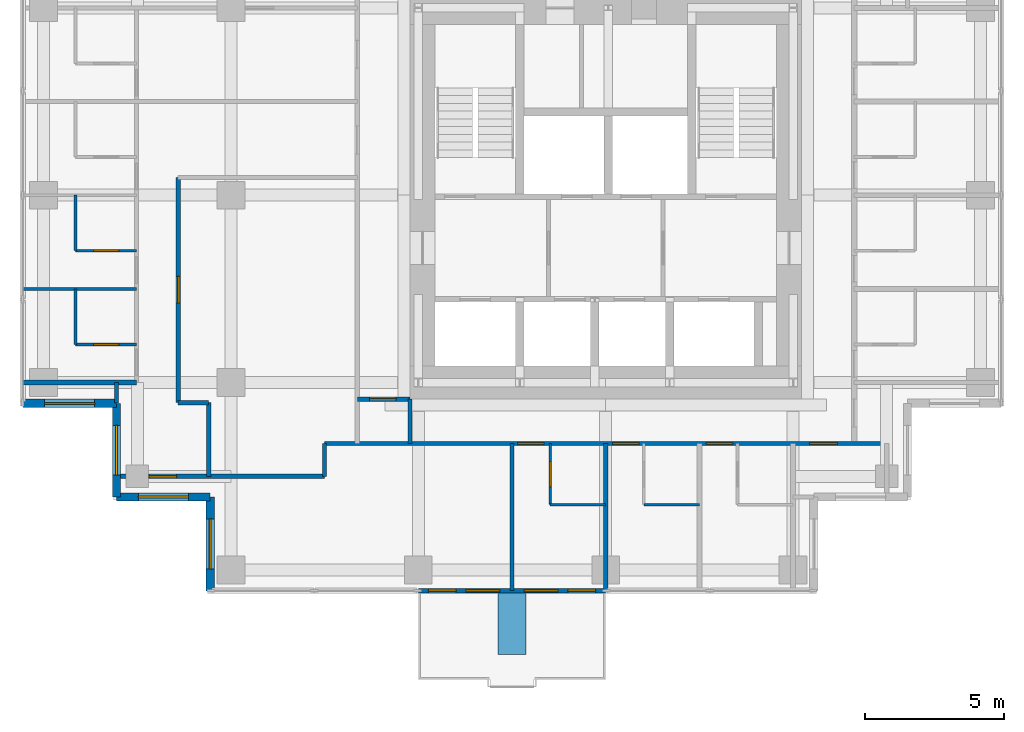
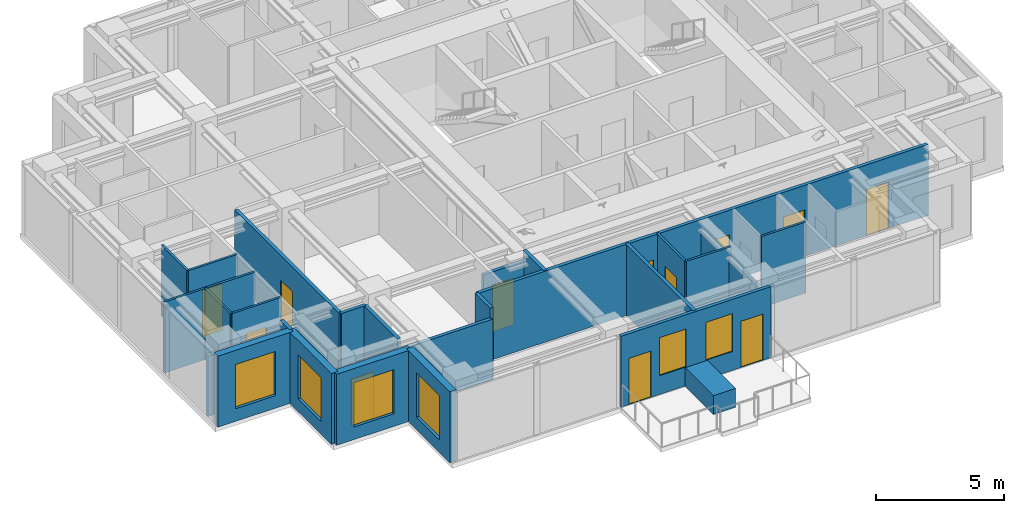
# One storey, part 3 of 8: 26 walls, 12 doors, 6 windows, 18 openings.
"""IFC4 building model written with IfcOpenShell, lengths in metres."""

from ifc_helpers import new_model, si_unit, direction, frame, frame_2d, origin, place, context, subcontext, project, spatial, rectangle, extrude, material, layer, layer_set, type_object, element, fill, save


model = new_model("IFC4")

# Units and contexts
model_context = context("Model", 3, precision=1e-05, world=origin(), true_north=direction((0.0, 1.0)))
body_context = subcontext(model_context, "Body", "Model", "MODEL_VIEW")
ifc_project = project(units=[si_unit("LENGTHUNIT", "METRE"), si_unit("AREAUNIT", "SQUARE_METRE"), si_unit("VOLUMEUNIT", "CUBIC_METRE"), si_unit("PLANEANGLEUNIT", "RADIAN"), si_unit("MASSUNIT", "GRAM", prefix="KILO")], contexts=[model_context])

# Site, building, storey
site_placement = place(None, origin())
site = spatial("IfcSite", under=ifc_project, at=site_placement, CompositionType="ELEMENT")
building_placement = place(site_placement, origin())
building = spatial("IfcBuilding", under=site, at=building_placement, Name="Nyansa Garden Tower", CompositionType="ELEMENT")
storey_placement = place(building_placement, frame((0.0, 0.0, 240.300048828125)))
storey = spatial("IfcBuildingStorey", under=building, at=storey_placement, Name="L65", CompositionType="ELEMENT", Elevation=240.300048828125)

# Walls
ifc_material_1 = material(Name="Dense blockwork, plastered both sides, 55 dB", Category="masonry")
ifc_layer_1 = layer(ifc_material_1, 0.175048828125)
ifc_layer_set_1 = layer_set([ifc_layer_1], Name="Acoustic party wall PW175")
wall_type_1 = type_object("IfcWallType", Name="Acoustic party wall PW175", PredefinedType="PARTITIONING", material=ifc_layer_set_1)
wall_1_placement = place(storey_placement, frame((-0.73388671875, 13.5, 0.0), z_axis=(0.0, 0.0, 1.0), x_axis=(1.0, 0.0, 0.0)))
element("IfcWall", 1, at=wall_1_placement, inside=storey, type_object=wall_type_1, Name="Party wall", PredefinedType="PARTITIONING", context=body_context, shape_type="SweptSolid", body=[
    extrude(rectangle(XDim=4.083984375, YDim=0.175048828125, at=frame_2d((2.0419921875, 0.0))), origin(), (0.0, 0.0, 1.0), 2.876953125),
])
wall_2_placement = place(storey_placement, frame((20.25, 6.01611328125, 0.0), z_axis=(0.0, 0.0, 1.0), x_axis=(0.0, 1.0, 0.0)))
element("IfcWall", 2, at=wall_2_placement, inside=storey, type_object=wall_type_1, Name="Party wall", PredefinedType="PARTITIONING", context=body_context, shape_type="SweptSolid", body=[
    extrude(rectangle(XDim=5.283935546875, YDim=0.175048828125, at=frame_2d((2.64208984375, 0.0))), origin(), (0.0, 0.0, 1.0), 2.876953125),
])

# Wall, openings, doors, windows
ifc_material_2 = material(Name="Black aluminium framed glazed screen", Category="aluminium")
ifc_layer_2 = layer(ifc_material_2, 0.14990234375)
ifc_layer_set_2 = layer_set([ifc_layer_2], Name="Balcony screen wall BW150")
wall_type_2 = type_object("IfcWallType", Name="Balcony screen wall BW150", PredefinedType="SOLIDWALL", material=ifc_layer_set_2)
wall_3_placement = place(storey_placement, frame((20.25, 6.0, 0.0), z_axis=(0.0, 0.0, 1.0), x_axis=(-1.0, 0.0, 0.0)))
wall_3 = element("IfcWall", 3, at=wall_3_placement, inside=storey, type_object=wall_type_2, Name="Glazed screen wall L65 S", PredefinedType="SOLIDWALL", context=body_context, shape_type="SweptSolid", body=[
    extrude(rectangle(XDim=6.75, YDim=0.14990234375, at=frame_2d((3.375, 0.0))), origin(), (0.0, 0.0, 1.0), 3.375),
])
opening_1_placement = place(wall_3_placement, frame((0.362548828125, 0.0, 0.0)))
opening_1 = element("IfcOpeningElement", 4, at=opening_1_placement, cuts=wall_3, Name="Opening D20", PredefinedType="OPENING", context=body_context, shape_type="SweptSolid", body=[
    extrude(rectangle(XDim=1.0, YDim=2.199951171875, at=frame_2d((0.5, 1.10009765625))), frame((0.0, 0.0849609375, 0.0), z_axis=(0.0, -1.0, 0.0), x_axis=(1.0, 0.0, 0.0)), (0.0, 0.0, 1.0), 0.169921875),
])
opening_2_placement = place(wall_3_placement, frame((1.72509765625, 0.0, 0.89990234375)))
opening_2 = element("IfcOpeningElement", 5, at=opening_2_placement, cuts=wall_3, Name="Opening W6", PredefinedType="OPENING", context=body_context, shape_type="SweptSolid", body=[
    extrude(rectangle(XDim=1.199951171875, YDim=1.800048828125, at=frame_2d((0.60009765625, 0.89990234375))), frame((0.0, 0.0849609375, 0.0), z_axis=(0.0, -1.0, 0.0), x_axis=(1.0, 0.0, 0.0)), (0.0, 0.0, 1.0), 0.169921875),
])
opening_3_placement = place(wall_3_placement, frame((5.387451171875, 0.0, 0.0)))
opening_3 = element("IfcOpeningElement", 6, at=opening_3_placement, cuts=wall_3, Name="Opening D20", PredefinedType="OPENING", context=body_context, shape_type="SweptSolid", body=[
    extrude(rectangle(XDim=1.0, YDim=2.199951171875, at=frame_2d((0.5, 1.10009765625))), frame((0.0, 0.0849609375, 0.0), z_axis=(0.0, -1.0, 0.0), x_axis=(1.0, 0.0, 0.0)), (0.0, 0.0, 1.0), 0.169921875),
])
opening_4_placement = place(wall_3_placement, frame((3.824951171875, 0.0, 0.89990234375)))
opening_4 = element("IfcOpeningElement", 7, at=opening_4_placement, cuts=wall_3, Name="Opening W6", PredefinedType="OPENING", context=body_context, shape_type="SweptSolid", body=[
    extrude(rectangle(XDim=1.199951171875, YDim=1.800048828125, at=frame_2d((0.60009765625, 0.89990234375))), frame((0.0, 0.0849609375, 0.0), z_axis=(0.0, -1.0, 0.0), x_axis=(1.0, 0.0, 0.0)), (0.0, 0.0, 1.0), 0.169921875),
])
ifc_material_3 = material(Name="Black aluminium framed glazed door", Category="aluminium")
door_type_1 = type_object("IfcDoorType", Name="Balcony door D20 1000x2200", OperationType="NOTDEFINED", PredefinedType="DOOR", material=ifc_material_3)
door_1_placement = place(opening_1_placement, origin())
door_1 = element("IfcDoor", 8, at=door_1_placement, inside=storey, type_object=door_type_1, Name="Balcony door L65", OperationType="SINGLE_SWING_LEFT", OverallHeight=2.199951171875, OverallWidth=1.0, PredefinedType="DOOR", context=body_context, shape_type="SweptSolid", body=[
    extrude(rectangle(XDim=1.0, YDim=2.199951171875, at=frame_2d((0.5, 1.10009765625))), frame((0.0, 0.02490234375, 0.0), z_axis=(0.0, -1.0, 0.0), x_axis=(1.0, 0.0, 0.0)), (0.0, 0.0, 1.0), 0.050048828125),
])
fill(opening_1, door_1)
door_2_placement = place(opening_3_placement, origin())
door_2 = element("IfcDoor", 9, at=door_2_placement, inside=storey, type_object=door_type_1, Name="Balcony door L65", OperationType="SINGLE_SWING_RIGHT", OverallHeight=2.199951171875, OverallWidth=1.0, PredefinedType="DOOR", context=body_context, shape_type="SweptSolid", body=[
    extrude(rectangle(XDim=1.0, YDim=2.199951171875, at=frame_2d((0.5, 1.10009765625))), frame((0.0, 0.02490234375, 0.0), z_axis=(0.0, -1.0, 0.0), x_axis=(1.0, 0.0, 0.0)), (0.0, 0.0, 1.0), 0.050048828125),
])
fill(opening_3, door_2)
ifc_material_4 = material(Name="Black aluminium frame, dark tinted double glazing", Category="aluminium")
window_type_1 = type_object("IfcWindowType", Name="Balcony window W6 1200x1800", PartitioningType="SINGLE_PANEL", PredefinedType="WINDOW", material=ifc_material_4)
window_1_placement = place(opening_2_placement, origin())
window_1 = element("IfcWindow", 10, at=window_1_placement, inside=storey, type_object=window_type_1, Name="Window L65", OverallHeight=1.800048828125, OverallWidth=1.199951171875, PartitioningType="SINGLE_PANEL", PredefinedType="WINDOW", context=body_context, shape_type="SweptSolid", body=[
    extrude(rectangle(XDim=1.199951171875, YDim=1.800048828125, at=frame_2d((0.60009765625, 0.89990234375))), frame((0.0, 0.030029296875, 0.0), z_axis=(0.0, -1.0, 0.0), x_axis=(1.0, 0.0, 0.0)), (0.0, 0.0, 1.0), 0.06005859375),
])
fill(opening_2, window_1)
window_2_placement = place(opening_4_placement, origin())
window_2 = element("IfcWindow", 11, at=window_2_placement, inside=storey, type_object=window_type_1, Name="Window L65", OverallHeight=1.800048828125, OverallWidth=1.199951171875, PartitioningType="SINGLE_PANEL", PredefinedType="WINDOW", context=body_context, shape_type="SweptSolid", body=[
    extrude(rectangle(XDim=1.199951171875, YDim=1.800048828125, at=frame_2d((0.60009765625, 0.89990234375))), frame((0.0, 0.030029296875, 0.0), z_axis=(0.0, -1.0, 0.0), x_axis=(1.0, 0.0, 0.0)), (0.0, 0.0, 1.0), 0.06005859375),
])
fill(opening_4, window_2)

# Wall
ifc_material_5 = material(Name="Blockwork, plastered both sides", Category="masonry")
ifc_layer_3 = layer(ifc_material_5, 0.14990234375)
ifc_layer_set_3 = layer_set([ifc_layer_3], Name="Partition PW150")
wall_type_3 = type_object("IfcWallType", Name="Partition PW150", PredefinedType="PARTITIONING", material=ifc_layer_set_3)
wall_4_placement = place(storey_placement, frame((2.625, 12.76611328125, 0.0), z_axis=(0.0, 0.0, 1.0), x_axis=(0.0, 1.0, 0.0)))
element("IfcWall", 12, at=wall_4_placement, inside=storey, type_object=wall_type_3, Name="Partition", PredefinedType="PARTITIONING", context=body_context, shape_type="SweptSolid", body=[
    extrude(rectangle(XDim=0.73388671875, YDim=0.14990234375, at=frame_2d((0.366943359375, 0.0))), origin(), (0.0, 0.0, 1.0), 3.375),
])

# Wall, opening, door
wall_5_placement = place(storey_placement, frame((2.77490234375, 10.125, 0.0), z_axis=(0.0, 0.0, 1.0), x_axis=(1.0, 0.0, 0.0)))
wall_5 = element("IfcWall", 13, at=wall_5_placement, inside=storey, type_object=wall_type_3, Name="Partition", PredefinedType="PARTITIONING", context=body_context, shape_type="SweptSolid", body=[
    extrude(rectangle(XDim=7.35009765625, YDim=0.14990234375, at=frame_2d((3.675048828125, 0.0))), origin(), (0.0, 0.0, 1.0), 2.876953125),
])
opening_5_placement = place(wall_5_placement, frame((1.01611328125, 0.0, 0.0)))
opening_5 = element("IfcOpeningElement", 14, at=opening_5_placement, cuts=wall_5, Name="Opening D03", PredefinedType="OPENING", context=body_context, shape_type="SweptSolid", body=[
    extrude(rectangle(XDim=1.0, YDim=2.199951171875, at=frame_2d((0.5, 1.10009765625))), frame((0.0, 0.0849609375, 0.0), z_axis=(0.0, -1.0, 0.0), x_axis=(1.0, 0.0, 0.0)), (0.0, 0.0, 1.0), 0.169921875),
])
ifc_material_6 = material(Name="Timber flush door, 60 minute fire resisting", Category="wood")
door_type_2 = type_object("IfcDoorType", Name="Cluster entrance door D03 1000x2200", OperationType="SINGLE_SWING_LEFT", PredefinedType="DOOR", material=ifc_material_6)
door_3_placement = place(opening_5_placement, origin())
door_3 = element("IfcDoor", 15, at=door_3_placement, inside=storey, type_object=door_type_2, Name="Door L65-017", OperationType="SINGLE_SWING_LEFT", OverallHeight=2.199951171875, OverallWidth=1.0, PredefinedType="DOOR", context=body_context, shape_type="SweptSolid", body=[
    extrude(rectangle(XDim=1.0, YDim=2.199951171875, at=frame_2d((0.5, 1.10009765625))), frame((0.0, 0.02490234375, 0.0), z_axis=(0.0, -1.0, 0.0), x_axis=(1.0, 0.0, 0.0)), (0.0, 0.0, 1.0), 0.050048828125),
])
fill(opening_5, door_3)

wall_6_placement = place(storey_placement, frame((4.85009765625, 12.77490234375, 0.0), z_axis=(0.0, 0.0, 1.0), x_axis=(0.0, 1.0, 0.0)))
wall_6 = element("IfcWall", 16, at=wall_6_placement, inside=storey, type_object=wall_type_3, Name="Partition", PredefinedType="PARTITIONING", context=body_context, shape_type="SweptSolid", body=[
    extrude(rectangle(XDim=8.112548828125, YDim=0.14990234375, at=frame_2d((4.05615234375, 0.0))), origin(), (0.0, 0.0, 1.0), 3.375),
])
opening_6_placement = place(wall_6_placement, frame((3.60009765625, 0.0, 0.0)))
opening_6 = element("IfcOpeningElement", 17, at=opening_6_placement, cuts=wall_6, Name="Opening D01", PredefinedType="OPENING", context=body_context, shape_type="SweptSolid", body=[
    extrude(rectangle(XDim=0.949951171875, YDim=2.199951171875, at=frame_2d((0.47509765625, 1.10009765625))), frame((0.0, 0.0849609375, 0.0), z_axis=(0.0, -1.0, 0.0), x_axis=(1.0, 0.0, 0.0)), (0.0, 0.0, 1.0), 0.169921875),
])
ifc_material_7 = material(Name="Timber flush door, 30 minute fire resisting", Category="wood")
door_type_3 = type_object("IfcDoorType", Name="Bedroom door D01 950x2200", OperationType="SINGLE_SWING_LEFT", PredefinedType="DOOR", material=ifc_material_7)
door_4_placement = place(opening_6_placement, origin())
door_4 = element("IfcDoor", 18, at=door_4_placement, inside=storey, type_object=door_type_3, Name="Door L65-054", OperationType="SINGLE_SWING_LEFT", OverallHeight=2.199951171875, OverallWidth=0.949951171875, PredefinedType="DOOR", context=body_context, shape_type="SweptSolid", body=[
    extrude(rectangle(XDim=0.949951171875, YDim=2.199951171875, at=frame_2d((0.47509765625, 1.10009765625))), frame((0.0, 0.02490234375, 0.0), z_axis=(0.0, -1.0, 0.0), x_axis=(1.0, 0.0, 0.0)), (0.0, 0.0, 1.0), 0.050048828125),
])
fill(opening_6, door_4)

# Walls
wall_7_placement = place(storey_placement, frame((4.85009765625, 12.77490234375, 0.0), z_axis=(0.0, 0.0, 1.0), x_axis=(1.0, 0.0, 0.0)))
element("IfcWall", 19, at=wall_7_placement, inside=storey, type_object=wall_type_3, Name="Partition", PredefinedType="PARTITIONING", context=body_context, shape_type="SweptSolid", body=[
    extrude(rectangle(XDim=1.099853515625, YDim=0.14990234375, at=frame_2d((0.5498046875, 0.0))), origin(), (0.0, 0.0, 1.0), 3.375),
])
wall_8_placement = place(storey_placement, frame((5.949951171875, 10.125, 0.0), z_axis=(0.0, 0.0, 1.0), x_axis=(0.0, 1.0, 0.0)))
element("IfcWall", 20, at=wall_8_placement, inside=storey, type_object=wall_type_3, Name="Partition", PredefinedType="PARTITIONING", context=body_context, shape_type="SweptSolid", body=[
    extrude(rectangle(XDim=2.64990234375, YDim=0.14990234375, at=frame_2d((1.324951171875, 0.0))), origin(), (0.0, 0.0, 1.0), 3.375),
])
wall_9_placement = place(storey_placement, frame((10.125, 10.125, 0.0), z_axis=(0.0, 0.0, 1.0), x_axis=(0.0, 1.0, 0.0)))
element("IfcWall", 21, at=wall_9_placement, inside=storey, type_object=wall_type_3, Name="Partition", PredefinedType="PARTITIONING", context=body_context, shape_type="SweptSolid", body=[
    extrude(rectangle(XDim=1.175048828125, YDim=0.14990234375, at=frame_2d((0.58740234375, 0.0))), origin(), (0.0, 0.0, 1.0), 3.375),
])

# Wall, openings, doors
wall_10_placement = place(storey_placement, frame((10.125, 11.300048828125, 0.0), z_axis=(0.0, 0.0, 1.0), x_axis=(1.0, 0.0, 0.0)))
wall_10 = element("IfcWall", 22, at=wall_10_placement, inside=storey, type_object=wall_type_3, Name="Partition", PredefinedType="PARTITIONING", context=body_context, shape_type="SweptSolid", body=[
    extrude(rectangle(XDim=20.25, YDim=0.14990234375, at=frame_2d((10.125, 0.0))), origin(), (0.0, 0.0, 1.0), 3.375),
])
opening_7_placement = place(wall_10_placement, frame((6.949951171875, 0.0, 0.0)))
opening_7 = element("IfcOpeningElement", 23, at=opening_7_placement, cuts=wall_10, Name="Opening D14", PredefinedType="OPENING", context=body_context, shape_type="SweptSolid", body=[
    extrude(rectangle(XDim=0.949951171875, YDim=2.199951171875, at=frame_2d((0.47509765625, 1.10009765625))), frame((0.0, 0.0849609375, 0.0), z_axis=(0.0, -1.0, 0.0), x_axis=(1.0, 0.0, 0.0)), (0.0, 0.0, 1.0), 0.169921875),
])
opening_8_placement = place(wall_10_placement, frame((10.375, 0.0, 0.0)))
opening_8 = element("IfcOpeningElement", 24, at=opening_8_placement, cuts=wall_10, Name="Opening D14", PredefinedType="OPENING", context=body_context, shape_type="SweptSolid", body=[
    extrude(rectangle(XDim=0.949951171875, YDim=2.199951171875, at=frame_2d((0.47509765625, 1.10009765625))), frame((0.0, 0.0849609375, 0.0), z_axis=(0.0, -1.0, 0.0), x_axis=(1.0, 0.0, 0.0)), (0.0, 0.0, 1.0), 0.169921875),
])
opening_9_placement = place(wall_10_placement, frame((13.75, 0.0, 0.0)))
opening_9 = element("IfcOpeningElement", 25, at=opening_9_placement, cuts=wall_10, Name="Opening D14", PredefinedType="OPENING", context=body_context, shape_type="SweptSolid", body=[
    extrude(rectangle(XDim=0.949951171875, YDim=2.199951171875, at=frame_2d((0.47509765625, 1.10009765625))), frame((0.0, 0.0849609375, 0.0), z_axis=(0.0, -1.0, 0.0), x_axis=(1.0, 0.0, 0.0)), (0.0, 0.0, 1.0), 0.169921875),
])
opening_10_placement = place(wall_10_placement, frame((17.47509765625, 0.0, 0.0)))
opening_10 = element("IfcOpeningElement", 26, at=opening_10_placement, cuts=wall_10, Name="Opening D03", PredefinedType="OPENING", context=body_context, shape_type="SweptSolid", body=[
    extrude(rectangle(XDim=1.0, YDim=2.199951171875, at=frame_2d((0.5, 1.10009765625))), frame((0.0, 0.0849609375, 0.0), z_axis=(0.0, -1.0, 0.0), x_axis=(1.0, 0.0, 0.0)), (0.0, 0.0, 1.0), 0.169921875),
])
door_5_placement = place(opening_10_placement, origin())
door_5 = element("IfcDoor", 27, at=door_5_placement, inside=storey, type_object=door_type_2, Name="Door L65-024", OperationType="SINGLE_SWING_LEFT", OverallHeight=2.199951171875, OverallWidth=1.0, PredefinedType="DOOR", context=body_context, shape_type="SweptSolid", body=[
    extrude(rectangle(XDim=1.0, YDim=2.199951171875, at=frame_2d((0.5, 1.10009765625))), frame((0.0, 0.02490234375, 0.0), z_axis=(0.0, -1.0, 0.0), x_axis=(1.0, 0.0, 0.0)), (0.0, 0.0, 1.0), 0.050048828125),
])
fill(opening_10, door_5)
ifc_material_8 = material(Name="Timber flush door, 60 minute fire resisting, self-closing", Category="wood")
door_type_4 = type_object("IfcDoorType", Name="Studio entrance door D14 950x2200", OperationType="SINGLE_SWING_LEFT", PredefinedType="DOOR", material=ifc_material_8)
door_6_placement = place(opening_7_placement, origin())
door_6 = element("IfcDoor", 28, at=door_6_placement, inside=storey, type_object=door_type_4, Name="Door L65-018", OperationType="SINGLE_SWING_LEFT", OverallHeight=2.199951171875, OverallWidth=0.949951171875, PredefinedType="DOOR", context=body_context, shape_type="SweptSolid", body=[
    extrude(rectangle(XDim=0.949951171875, YDim=2.199951171875, at=frame_2d((0.47509765625, 1.10009765625))), frame((0.0, 0.02490234375, 0.0), z_axis=(0.0, -1.0, 0.0), x_axis=(1.0, 0.0, 0.0)), (0.0, 0.0, 1.0), 0.050048828125),
])
fill(opening_7, door_6)
door_7_placement = place(opening_8_placement, origin())
door_7 = element("IfcDoor", 29, at=door_7_placement, inside=storey, type_object=door_type_4, Name="Door L65-020", OperationType="SINGLE_SWING_LEFT", OverallHeight=2.199951171875, OverallWidth=0.949951171875, PredefinedType="DOOR", context=body_context, shape_type="SweptSolid", body=[
    extrude(rectangle(XDim=0.949951171875, YDim=2.199951171875, at=frame_2d((0.47509765625, 1.10009765625))), frame((0.0, 0.02490234375, 0.0), z_axis=(0.0, -1.0, 0.0), x_axis=(1.0, 0.0, 0.0)), (0.0, 0.0, 1.0), 0.050048828125),
])
fill(opening_8, door_7)
door_8_placement = place(opening_9_placement, origin())
door_8 = element("IfcDoor", 30, at=door_8_placement, inside=storey, type_object=door_type_4, Name="Door L65-022", OperationType="SINGLE_SWING_LEFT", OverallHeight=2.199951171875, OverallWidth=0.949951171875, PredefinedType="DOOR", context=body_context, shape_type="SweptSolid", body=[
    extrude(rectangle(XDim=0.949951171875, YDim=2.199951171875, at=frame_2d((0.47509765625, 1.10009765625))), frame((0.0, 0.02490234375, 0.0), z_axis=(0.0, -1.0, 0.0), x_axis=(1.0, 0.0, 0.0)), (0.0, 0.0, 1.0), 0.050048828125),
])
fill(opening_9, door_8)

# Wall, opening, door
wall_11_placement = place(storey_placement, frame((11.300048828125, 12.89990234375, 0.0), z_axis=(0.0, 0.0, 1.0), x_axis=(1.0, 0.0, 0.0)))
wall_11 = element("IfcWall", 31, at=wall_11_placement, inside=storey, type_object=wall_type_3, Name="Partition", PredefinedType="PARTITIONING", context=body_context, shape_type="SweptSolid", body=[
    extrude(rectangle(XDim=1.89990234375, YDim=0.14990234375, at=frame_2d((0.949951171875, 0.0))), origin(), (0.0, 0.0, 1.0), 2.876953125),
])
opening_11_placement = place(wall_11_placement, frame((0.449951171875, 0.0, 0.0)))
opening_11 = element("IfcOpeningElement", 32, at=opening_11_placement, cuts=wall_11, Name="Opening D01", PredefinedType="OPENING", context=body_context, shape_type="SweptSolid", body=[
    extrude(rectangle(XDim=0.949951171875, YDim=2.199951171875, at=frame_2d((0.47509765625, 1.10009765625))), frame((0.0, 0.0849609375, 0.0), z_axis=(0.0, -1.0, 0.0), x_axis=(1.0, 0.0, 0.0)), (0.0, 0.0, 1.0), 0.169921875),
])
door_9_placement = place(opening_11_placement, origin())
door_9 = element("IfcDoor", 33, at=door_9_placement, inside=storey, type_object=door_type_3, Name="Door L65-016", OperationType="SINGLE_SWING_LEFT", OverallHeight=2.199951171875, OverallWidth=0.949951171875, PredefinedType="DOOR", context=body_context, shape_type="SweptSolid", body=[
    extrude(rectangle(XDim=0.949951171875, YDim=2.199951171875, at=frame_2d((0.47509765625, 1.10009765625))), frame((0.0, 0.02490234375, 0.0), z_axis=(0.0, -1.0, 0.0), x_axis=(1.0, 0.0, 0.0)), (0.0, 0.0, 1.0), 0.050048828125),
])
fill(opening_11, door_9)

# Walls
wall_12_placement = place(storey_placement, frame((13.199951171875, 11.300048828125, 0.0), z_axis=(0.0, 0.0, 1.0), x_axis=(0.0, 1.0, 0.0)))
element("IfcWall", 34, at=wall_12_placement, inside=storey, type_object=wall_type_3, Name="Partition", PredefinedType="PARTITIONING", context=body_context, shape_type="SweptSolid", body=[
    extrude(rectangle(XDim=1.599853515625, YDim=0.14990234375, at=frame_2d((0.7998046875, 0.0))), origin(), (0.0, 0.0, 1.0), 3.375),
])
wall_13_placement = place(storey_placement, frame((16.875, 6.01611328125, 0.0), z_axis=(0.0, 0.0, 1.0), x_axis=(0.0, 1.0, 0.0)))
element("IfcWall", 35, at=wall_13_placement, inside=storey, type_object=wall_type_3, Name="Partition", PredefinedType="PARTITIONING", context=body_context, shape_type="SweptSolid", body=[
    extrude(rectangle(XDim=5.283935546875, YDim=0.14990234375, at=frame_2d((2.64208984375, 0.0))), origin(), (0.0, 0.0, 1.0), 3.375),
])

# Wall, opening, window
ifc_material_9 = material(Name="Turquoise glazed tile on concrete blockwork", Category="masonry")
ifc_layer_4 = layer(ifc_material_9, 0.300048828125)
ifc_layer_set_4 = layer_set([ifc_layer_4], Name="Tiled corner wall TW300")
wall_type_4 = type_object("IfcWallType", Name="Tiled corner wall TW300", PredefinedType="SOLIDWALL", material=ifc_layer_set_4)
wall_14_placement = place(storey_placement, frame((-0.75, 12.75, 0.0), z_axis=(0.0, 0.0, 1.0), x_axis=(1.0, 0.0, 0.0)))
wall_14 = element("IfcWall", 36, at=wall_14_placement, inside=storey, type_object=wall_type_4, Name="Tiled corner wall L65", PredefinedType="SOLIDWALL", context=body_context, shape_type="SweptSolid", body=[
    extrude(rectangle(XDim=3.375, YDim=0.300048828125, at=frame_2d((1.6875, 0.0))), origin(), (0.0, 0.0, 1.0), 3.375),
])
opening_12_placement = place(wall_14_placement, frame((0.78759765625, 0.0, 0.60009765625)))
opening_12 = element("IfcOpeningElement", 37, at=opening_12_placement, cuts=wall_14, Name="Opening W2", PredefinedType="OPENING", context=body_context, shape_type="SweptSolid", body=[
    extrude(rectangle(XDim=1.800048828125, YDim=2.10009765625, at=frame_2d((0.89990234375, 1.050048828125))), frame((0.0, 0.159912109375, 0.0), z_axis=(0.0, -1.0, 0.0), x_axis=(1.0, 0.0, 0.0)), (0.0, 0.0, 1.0), 0.320068359375),
])
ifc_material_10 = material(Name="Black aluminium frame, dark tinted double glazing", Category="aluminium")
window_type_2 = type_object("IfcWindowType", Name="Window W2 1800x2100", PartitioningType="SINGLE_PANEL", PredefinedType="WINDOW", material=ifc_material_10)
window_3_placement = place(opening_12_placement, origin())
window_3 = element("IfcWindow", 38, at=window_3_placement, inside=storey, type_object=window_type_2, Name="Corner window L65", OverallHeight=2.10009765625, OverallWidth=1.800048828125, PartitioningType="SINGLE_PANEL", PredefinedType="WINDOW", context=body_context, shape_type="SweptSolid", body=[
    extrude(rectangle(XDim=1.800048828125, YDim=2.10009765625, at=frame_2d((0.89990234375, 1.050048828125))), frame((0.0, 0.030029296875, 0.0), z_axis=(0.0, -1.0, 0.0), x_axis=(1.0, 0.0, 0.0)), (0.0, 0.0, 1.0), 0.06005859375),
])
fill(opening_12, window_3)

wall_15_placement = place(storey_placement, frame((2.625, 12.75, 0.0), z_axis=(0.0, 0.0, 1.0), x_axis=(0.0, -1.0, 0.0)))
wall_15 = element("IfcWall", 39, at=wall_15_placement, inside=storey, type_object=wall_type_4, Name="Tiled corner wall L65", PredefinedType="SOLIDWALL", context=body_context, shape_type="SweptSolid", body=[
    extrude(rectangle(XDim=3.375, YDim=0.300048828125, at=frame_2d((1.6875, 0.0))), origin(), (0.0, 0.0, 1.0), 3.375),
])
opening_13_placement = place(wall_15_placement, frame((0.78759765625, 0.0, 0.60009765625)))
opening_13 = element("IfcOpeningElement", 40, at=opening_13_placement, cuts=wall_15, Name="Opening W2", PredefinedType="OPENING", context=body_context, shape_type="SweptSolid", body=[
    extrude(rectangle(XDim=1.800048828125, YDim=2.10009765625, at=frame_2d((0.89990234375, 1.050048828125))), frame((0.0, 0.159912109375, 0.0), z_axis=(0.0, -1.0, 0.0), x_axis=(1.0, 0.0, 0.0)), (0.0, 0.0, 1.0), 0.320068359375),
])
window_4_placement = place(opening_13_placement, origin())
window_4 = element("IfcWindow", 41, at=window_4_placement, inside=storey, type_object=window_type_2, Name="Corner window L65", OverallHeight=2.10009765625, OverallWidth=1.800048828125, PartitioningType="SINGLE_PANEL", PredefinedType="WINDOW", context=body_context, shape_type="SweptSolid", body=[
    extrude(rectangle(XDim=1.800048828125, YDim=2.10009765625, at=frame_2d((0.89990234375, 1.050048828125))), frame((0.0, 0.030029296875, 0.0), z_axis=(0.0, -1.0, 0.0), x_axis=(1.0, 0.0, 0.0)), (0.0, 0.0, 1.0), 0.06005859375),
])
fill(opening_13, window_4)

wall_16_placement = place(storey_placement, frame((2.625, 9.375, 0.0), z_axis=(0.0, 0.0, 1.0), x_axis=(1.0, 0.0, 0.0)))
wall_16 = element("IfcWall", 42, at=wall_16_placement, inside=storey, type_object=wall_type_4, Name="Tiled corner wall L65", PredefinedType="SOLIDWALL", context=body_context, shape_type="SweptSolid", body=[
    extrude(rectangle(XDim=3.375, YDim=0.300048828125, at=frame_2d((1.6875, 0.0))), origin(), (0.0, 0.0, 1.0), 3.375),
])
opening_14_placement = place(wall_16_placement, frame((0.78759765625, 0.0, 0.60009765625)))
opening_14 = element("IfcOpeningElement", 43, at=opening_14_placement, cuts=wall_16, Name="Opening W2", PredefinedType="OPENING", context=body_context, shape_type="SweptSolid", body=[
    extrude(rectangle(XDim=1.800048828125, YDim=2.10009765625, at=frame_2d((0.89990234375, 1.050048828125))), frame((0.0, 0.159912109375, 0.0), z_axis=(0.0, -1.0, 0.0), x_axis=(1.0, 0.0, 0.0)), (0.0, 0.0, 1.0), 0.320068359375),
])
window_5_placement = place(opening_14_placement, origin())
window_5 = element("IfcWindow", 44, at=window_5_placement, inside=storey, type_object=window_type_2, Name="Corner window L65", OverallHeight=2.10009765625, OverallWidth=1.800048828125, PartitioningType="SINGLE_PANEL", PredefinedType="WINDOW", context=body_context, shape_type="SweptSolid", body=[
    extrude(rectangle(XDim=1.800048828125, YDim=2.10009765625, at=frame_2d((0.89990234375, 1.050048828125))), frame((0.0, 0.030029296875, 0.0), z_axis=(0.0, -1.0, 0.0), x_axis=(1.0, 0.0, 0.0)), (0.0, 0.0, 1.0), 0.06005859375),
])
fill(opening_14, window_5)

wall_17_placement = place(storey_placement, frame((6.0, 9.375, 0.0), z_axis=(0.0, 0.0, 1.0), x_axis=(0.0, -1.0, 0.0)))
wall_17 = element("IfcWall", 45, at=wall_17_placement, inside=storey, type_object=wall_type_4, Name="Tiled corner wall L65", PredefinedType="SOLIDWALL", context=body_context, shape_type="SweptSolid", body=[
    extrude(rectangle(XDim=3.375, YDim=0.300048828125, at=frame_2d((1.6875, 0.0))), origin(), (0.0, 0.0, 1.0), 3.375),
])
opening_15_placement = place(wall_17_placement, frame((0.78759765625, 0.0, 0.60009765625)))
opening_15 = element("IfcOpeningElement", 46, at=opening_15_placement, cuts=wall_17, Name="Opening W2", PredefinedType="OPENING", context=body_context, shape_type="SweptSolid", body=[
    extrude(rectangle(XDim=1.800048828125, YDim=2.10009765625, at=frame_2d((0.89990234375, 1.050048828125))), frame((0.0, 0.159912109375, 0.0), z_axis=(0.0, -1.0, 0.0), x_axis=(1.0, 0.0, 0.0)), (0.0, 0.0, 1.0), 0.320068359375),
])
window_6_placement = place(opening_15_placement, origin())
window_6 = element("IfcWindow", 47, at=window_6_placement, inside=storey, type_object=window_type_2, Name="Corner window L65", OverallHeight=2.10009765625, OverallWidth=1.800048828125, PartitioningType="SINGLE_PANEL", PredefinedType="WINDOW", context=body_context, shape_type="SweptSolid", body=[
    extrude(rectangle(XDim=1.800048828125, YDim=2.10009765625, at=frame_2d((0.89990234375, 1.050048828125))), frame((0.0, 0.030029296875, 0.0), z_axis=(0.0, -1.0, 0.0), x_axis=(1.0, 0.0, 0.0)), (0.0, 0.0, 1.0), 0.06005859375),
])
fill(opening_15, window_6)

# Walls
ifc_material_11 = material(Name="Concrete C40/50 planter, waterproofed", Category="concrete")
ifc_layer_5 = layer(ifc_material_11, 1.0)
ifc_layer_set_5 = layer_set([ifc_layer_5], Name="Tree planter TP1")
wall_type_5 = type_object("IfcWallType", Name="Tree planter TP1", PredefinedType="USERDEFINED", material=ifc_layer_set_5)
wall_18_placement = place(storey_placement, frame((16.875, 5.89990234375, 0.0), z_axis=(0.0, 0.0, 1.0), x_axis=(0.0, -1.0, 0.0)))
element("IfcWall", 48, at=wall_18_placement, inside=storey, type_object=wall_type_5, Name="Tree planter L65", ObjectType="TREE PLANTER", PredefinedType="USERDEFINED", context=body_context, shape_type="SweptSolid", body=[
    extrude(rectangle(XDim=2.199951171875, YDim=1.0, at=frame_2d((1.10009765625, 0.0))), origin(), (0.0, 0.0, 1.0), 0.89990234375),
])
ifc_material_12 = material(Name="Moisture resistant board on steel studs, tiled", Category="steel")
ifc_layer_6 = layer(ifc_material_12, 0.10009765625)
ifc_layer_set_6 = layer_set([ifc_layer_6], Name="Wet wall PW100")
wall_type_6 = type_object("IfcWallType", Name="Wet wall PW100", PredefinedType="PARTITIONING", material=ifc_layer_set_6)
wall_19_placement = place(storey_placement, frame((-0.73388671875, 16.875, 0.0), z_axis=(0.0, 0.0, 1.0), x_axis=(1.0, 0.0, 0.0)))
element("IfcWall", 49, at=wall_19_placement, inside=storey, type_object=wall_type_6, Name="Wet wall", PredefinedType="PARTITIONING", context=body_context, shape_type="SweptSolid", body=[
    extrude(rectangle(XDim=4.083984375, YDim=0.10009765625, at=frame_2d((2.0419921875, 0.0))), origin(), (0.0, 0.0, 1.0), 3.375),
])
wall_20_placement = place(storey_placement, frame((1.14990234375, 14.875, 0.0), z_axis=(0.0, 0.0, 1.0), x_axis=(0.0, 1.0, 0.0)))
element("IfcWall", 50, at=wall_20_placement, inside=storey, type_object=wall_type_6, Name="Wet wall", PredefinedType="PARTITIONING", context=body_context, shape_type="SweptSolid", body=[
    extrude(rectangle(XDim=2.0, YDim=0.10009765625, at=frame_2d((1.0, 0.0))), origin(), (0.0, 0.0, 1.0), 3.375),
])

# Wall, opening, door
wall_21_placement = place(storey_placement, frame((1.14990234375, 14.875, 0.0), z_axis=(0.0, 0.0, 1.0), x_axis=(1.0, 0.0, 0.0)))
wall_21 = element("IfcWall", 51, at=wall_21_placement, inside=storey, type_object=wall_type_6, Name="Wet wall", PredefinedType="PARTITIONING", context=body_context, shape_type="SweptSolid", body=[
    extrude(rectangle(XDim=2.2001953125, YDim=0.10009765625, at=frame_2d((1.10009765625, 0.0))), origin(), (0.0, 0.0, 1.0), 3.375),
])
opening_16_placement = place(wall_21_placement, frame((0.64990234375, 0.0, 0.0)))
opening_16 = element("IfcOpeningElement", 52, at=opening_16_placement, cuts=wall_21, Name="Opening D02", PredefinedType="OPENING", context=body_context, shape_type="SweptSolid", body=[
    extrude(rectangle(XDim=0.89990234375, YDim=2.199951171875, at=frame_2d((0.449951171875, 1.10009765625))), frame((0.0, 0.06005859375, 0.0), z_axis=(0.0, -1.0, 0.0), x_axis=(1.0, 0.0, 0.0)), (0.0, 0.0, 1.0), 0.1201171875),
])
ifc_material_13 = material(Name="Timber flush door", Category="wood")
door_type_5 = type_object("IfcDoorType", Name="En-suite door D02 900x2200", OperationType="SINGLE_SWING_RIGHT", PredefinedType="DOOR", material=ifc_material_13)
door_10_placement = place(opening_16_placement, origin())
door_10 = element("IfcDoor", 53, at=door_10_placement, inside=storey, type_object=door_type_5, Name="Door L65-048", OperationType="SINGLE_SWING_RIGHT", OverallHeight=2.199951171875, OverallWidth=0.89990234375, PredefinedType="DOOR", context=body_context, shape_type="SweptSolid", body=[
    extrude(rectangle(XDim=0.89990234375, YDim=2.199951171875, at=frame_2d((0.449951171875, 1.10009765625))), frame((0.0, 0.02490234375, 0.0), z_axis=(0.0, -1.0, 0.0), x_axis=(1.0, 0.0, 0.0)), (0.0, 0.0, 1.0), 0.050048828125),
])
fill(opening_16, door_10)

# Wall
wall_22_placement = place(storey_placement, frame((1.14990234375, 18.25, 0.0), z_axis=(0.0, 0.0, 1.0), x_axis=(0.0, 1.0, 0.0)))
element("IfcWall", 54, at=wall_22_placement, inside=storey, type_object=wall_type_6, Name="Wet wall", PredefinedType="PARTITIONING", context=body_context, shape_type="SweptSolid", body=[
    extrude(rectangle(XDim=2.0, YDim=0.10009765625, at=frame_2d((1.0, 0.0))), origin(), (0.0, 0.0, 1.0), 3.375),
])

# Wall, opening, door
wall_23_placement = place(storey_placement, frame((1.14990234375, 18.25, 0.0), z_axis=(0.0, 0.0, 1.0), x_axis=(1.0, 0.0, 0.0)))
wall_23 = element("IfcWall", 55, at=wall_23_placement, inside=storey, type_object=wall_type_6, Name="Wet wall", PredefinedType="PARTITIONING", context=body_context, shape_type="SweptSolid", body=[
    extrude(rectangle(XDim=2.2001953125, YDim=0.10009765625, at=frame_2d((1.10009765625, 0.0))), origin(), (0.0, 0.0, 1.0), 3.375),
])
opening_17_placement = place(wall_23_placement, frame((0.64990234375, 0.0, 0.0)))
opening_17 = element("IfcOpeningElement", 56, at=opening_17_placement, cuts=wall_23, Name="Opening D02", PredefinedType="OPENING", context=body_context, shape_type="SweptSolid", body=[
    extrude(rectangle(XDim=0.89990234375, YDim=2.199951171875, at=frame_2d((0.449951171875, 1.10009765625))), frame((0.0, 0.06005859375, 0.0), z_axis=(0.0, -1.0, 0.0), x_axis=(1.0, 0.0, 0.0)), (0.0, 0.0, 1.0), 0.1201171875),
])
door_11_placement = place(opening_17_placement, origin())
door_11 = element("IfcDoor", 57, at=door_11_placement, inside=storey, type_object=door_type_5, Name="Door L65-050", OperationType="SINGLE_SWING_RIGHT", OverallHeight=2.199951171875, OverallWidth=0.89990234375, PredefinedType="DOOR", context=body_context, shape_type="SweptSolid", body=[
    extrude(rectangle(XDim=0.89990234375, YDim=2.199951171875, at=frame_2d((0.449951171875, 1.10009765625))), frame((0.0, 0.02490234375, 0.0), z_axis=(0.0, -1.0, 0.0), x_axis=(1.0, 0.0, 0.0)), (0.0, 0.0, 1.0), 0.050048828125),
])
fill(opening_17, door_11)

wall_24_placement = place(storey_placement, frame((18.25, 9.10009765625, 0.0), z_axis=(0.0, 0.0, 1.0), x_axis=(0.0, 1.0, 0.0)))
wall_24 = element("IfcWall", 58, at=wall_24_placement, inside=storey, type_object=wall_type_6, Name="Wet wall", PredefinedType="PARTITIONING", context=body_context, shape_type="SweptSolid", body=[
    extrude(rectangle(XDim=2.199951171875, YDim=0.10009765625, at=frame_2d((1.10009765625, 0.0))), origin(), (0.0, 0.0, 1.0), 3.375),
])
opening_18_placement = place(wall_24_placement, frame((0.64990234375, 0.0, 0.0)))
opening_18 = element("IfcOpeningElement", 59, at=opening_18_placement, cuts=wall_24, Name="Opening D02", PredefinedType="OPENING", context=body_context, shape_type="SweptSolid", body=[
    extrude(rectangle(XDim=0.89990234375, YDim=2.199951171875, at=frame_2d((0.449951171875, 1.10009765625))), frame((0.0, 0.06005859375, 0.0), z_axis=(0.0, -1.0, 0.0), x_axis=(1.0, 0.0, 0.0)), (0.0, 0.0, 1.0), 0.1201171875),
])
door_12_placement = place(opening_18_placement, origin())
door_12 = element("IfcDoor", 60, at=door_12_placement, inside=storey, type_object=door_type_5, Name="Door L65-019", OperationType="SINGLE_SWING_RIGHT", OverallHeight=2.199951171875, OverallWidth=0.89990234375, PredefinedType="DOOR", context=body_context, shape_type="SweptSolid", body=[
    extrude(rectangle(XDim=0.89990234375, YDim=2.199951171875, at=frame_2d((0.449951171875, 1.10009765625))), frame((0.0, 0.02490234375, 0.0), z_axis=(0.0, -1.0, 0.0), x_axis=(1.0, 0.0, 0.0)), (0.0, 0.0, 1.0), 0.050048828125),
])
fill(opening_18, door_12)

# Walls
for number, where, z_axis, x_axis, name in (
    (61, (18.25, 9.10009765625, 0.0), (0.0, 0.0, 1.0), (1.0, 0.0, 0.0), "Wet wall"),
    (62, (21.625, 9.10009765625, 0.0), (0.0, 0.0, 1.0), (1.0, 0.0, 0.0), "Wet wall"),
):
    element("IfcWall", number, at=place(storey_placement, frame(where, z_axis=z_axis, x_axis=x_axis)), inside=storey, type_object=wall_type_6, Name=name, PredefinedType="PARTITIONING", context=body_context, shape_type="SweptSolid", body=[
        extrude(rectangle(XDim=2.0, YDim=0.10009765625, at=frame_2d((1.0, 0.0))), origin(), (0.0, 0.0, 1.0), 3.375),
    ])

save(model, "model.ifc")
